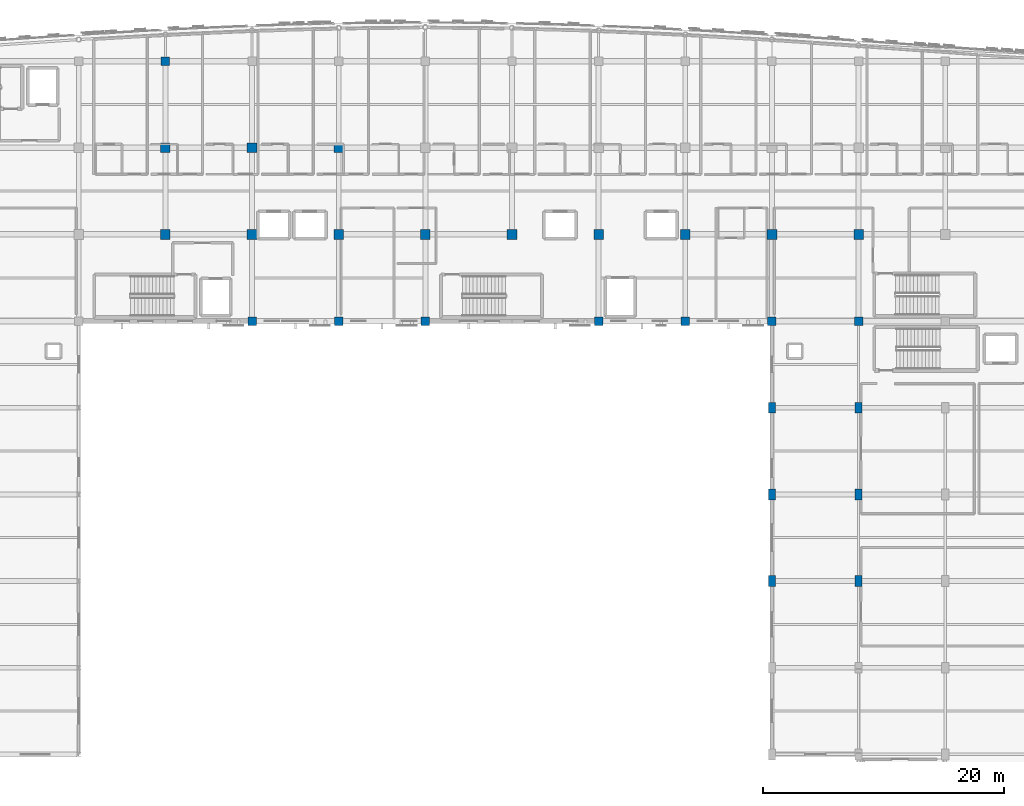
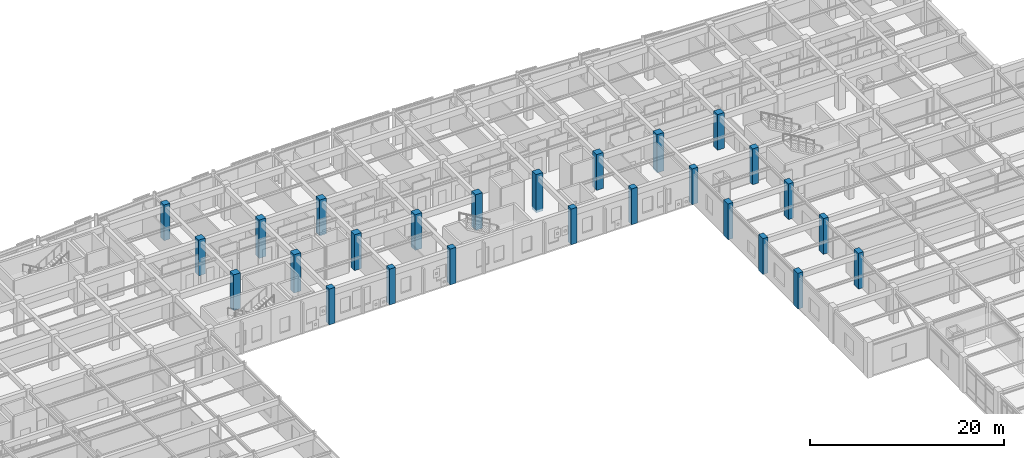
# One storey, part 8 of 106: 26 columns.
"""IFC4 building model written with IfcOpenShell, lengths in metres."""

from ifc_helpers import new_model, si_unit, direction, frame, origin, origin_2d, place, context, subcontext, project, spatial, rectangle, extrude, material, material_profile, profile_set, type_object, element, save


model = new_model("IFC4")

# Units and contexts
model_context = context("Model", 3, precision=1e-05, world=origin(), true_north=direction((0.0, 1.0)))
body_context = subcontext(model_context, "Body", "Model", "MODEL_VIEW")
ifc_project = project(units=[si_unit("LENGTHUNIT", "METRE"), si_unit("AREAUNIT", "SQUARE_METRE"), si_unit("VOLUMEUNIT", "CUBIC_METRE"), si_unit("PLANEANGLEUNIT", "RADIAN"), si_unit("MASSUNIT", "GRAM", prefix="KILO")], contexts=[model_context])

# Site, building, storey
site_placement = place(None, origin())
site = spatial("IfcSite", under=ifc_project, at=site_placement, CompositionType="ELEMENT")
building_placement = place(site_placement, origin())
building = spatial("IfcBuilding", under=site, at=building_placement, Name="Carrowvane Square Congress Hotel", CompositionType="ELEMENT")
storey_placement = place(building_placement, frame((0.0, 0.0, 10.5)))
storey = spatial("IfcBuildingStorey", under=building, at=storey_placement, Name="L02", CompositionType="ELEMENT", Elevation=10.5)

# Columns
ifc_material_1 = material(Name="Concrete C40/50", Category="concrete")
ifc_material_profile_1 = material_profile(ifc_material_1, rectangle(XDim=0.60009765625, YDim=0.89990234375, at=origin_2d()), Name="RC 600x900")
ifc_profile_set_1 = profile_set([ifc_material_profile_1], Name="Concrete C40/50")
column_type_1 = type_object("IfcColumnType", Name="COL-RC-600x900", PredefinedType="COLUMN", material=ifc_profile_set_1)
for number, where, z_axis, x_axis, name in (
    (1, (126.800048828125, 70.199951171875, 0.0), (0.0, 0.0, 1.0), (1.0, 0.0, 0.0), "L02 column 17/K"),
    (2, (126.800048828125, 77.39990234375, 0.0), (0.0, 0.0, 1.0), (1.0, 0.0, 0.0), "L02 column 17/L"),
    (3, (126.800048828125, 84.60009765625, 0.0), (0.0, 0.0, 1.0), (1.0, 0.0, 0.0), "L02 column 17/M"),
    (4, (134.0, 70.199951171875, 0.0), (0.0, 0.0, 1.0), (1.0, 0.0, 0.0), "L02 column 18/K"),
    (5, (134.0, 77.39990234375, 0.0), (0.0, 0.0, 1.0), (1.0, 0.0, 0.0), "L02 column 18/L"),
    (6, (134.0, 84.60009765625, 0.0), (0.0, 0.0, 1.0), (1.0, 0.0, 0.0), "L02 column 18/M"),
):
    element("IfcColumn", number, at=place(storey_placement, frame(where, z_axis=z_axis, x_axis=x_axis)), inside=storey, type_object=column_type_1, Name=name, PredefinedType="COLUMN", context=body_context, shape_type="SweptSolid", body=[
        extrude(rectangle(XDim=0.60009765625, YDim=0.89990234375, at=origin_2d()), origin(), (0.0, 0.0, 1.0), 4.5),
    ])
ifc_material_2 = material(Name="Concrete C40/50", Category="concrete")
ifc_material_profile_2 = material_profile(ifc_material_2, rectangle(XDim=0.699951171875, YDim=0.699951171875, at=origin_2d()), Name="RC 700x700")
ifc_profile_set_2 = profile_set([ifc_material_profile_2], Name="Concrete C40/50")
column_type_2 = type_object("IfcColumnType", Name="COL-RC-700", PredefinedType="COLUMN", material=ifc_profile_set_2)
for number, where, z_axis, x_axis, name in (
    (7, (76.39990234375, 113.39990234375, 0.0), (0.0, 0.0, 1.0), (1.0, 0.0, 0.0), "L02 column 10/R"),
    (8, (83.60009765625, 91.800048828125, 0.0), (0.0, 0.0, 1.0), (1.0, 0.0, 0.0), "L02 column 11/N"),
    (9, (90.800048828125, 91.800048828125, 0.0), (0.0, 0.0, 1.0), (1.0, 0.0, 0.0), "L02 column 12/N"),
    (10, (98.0, 91.800048828125, 0.0), (0.0, 0.0, 1.0), (1.0, 0.0, 0.0), "L02 column 13/N"),
    (11, (112.39990234375, 91.800048828125, 0.0), (0.0, 0.0, 1.0), (1.0, 0.0, 0.0), "L02 column 15/N"),
    (12, (119.60009765625, 91.800048828125, 0.0), (0.0, 0.0, 1.0), (1.0, 0.0, 0.0), "L02 column 16/N"),
    (13, (126.800048828125, 91.800048828125, 0.0), (0.0, 0.0, 1.0), (1.0, 0.0, 0.0), "L02 column 17/N"),
    (14, (134.0, 91.800048828125, 0.0), (0.0, 0.0, 1.0), (1.0, 0.0, 0.0), "L02 column 18/N"),
):
    element("IfcColumn", number, at=place(storey_placement, frame(where, z_axis=z_axis, x_axis=x_axis)), inside=storey, type_object=column_type_2, Name=name, PredefinedType="COLUMN", context=body_context, shape_type="SweptSolid", body=[
        extrude(rectangle(XDim=0.699951171875, YDim=0.699951171875, at=origin_2d()), origin(), (0.0, 0.0, 1.0), 4.5),
    ])
ifc_material_3 = material(Name="Concrete C40/50", Category="concrete")
ifc_material_profile_3 = material_profile(ifc_material_3, rectangle(XDim=0.800048828125, YDim=0.800048828125, at=origin_2d()), Name="RC 800x800")
ifc_profile_set_3 = profile_set([ifc_material_profile_3], Name="Concrete C40/50")
column_type_3 = type_object("IfcColumnType", Name="COL-RC-800", PredefinedType="COLUMN", material=ifc_profile_set_3)
for number, where, z_axis, x_axis, name in (
    (15, (76.39990234375, 99.0, 0.0), (0.0, 0.0, 1.0), (1.0, 0.0, 0.0), "L02 column 10/P"),
    (16, (76.39990234375, 106.199951171875, 0.0), (0.0, 0.0, 1.0), (1.0, 0.0, 0.0), "L02 column 10/Q"),
):
    element("IfcColumn", number, at=place(storey_placement, frame(where, z_axis=z_axis, x_axis=x_axis)), inside=storey, type_object=column_type_3, Name=name, PredefinedType="COLUMN", context=body_context, shape_type="SweptSolid", body=[
        extrude(rectangle(XDim=0.800048828125, YDim=0.800048828125, at=origin_2d()), origin(), (0.0, 0.0, 1.0), 4.5),
    ])
for number, where, z_axis, x_axis, name in (
    (17, (83.60009765625, 99.0, -0.320068359375), (0.0, 0.0, 1.0), (1.0, 0.0, 0.0), "L02 column 11/P"),
    (18, (83.60009765625, 106.199951171875, -0.320068359375), (0.0, 0.0, 1.0), (1.0, 0.0, 0.0), "L02 column 11/Q"),
):
    element("IfcColumn", number, at=place(storey_placement, frame(where, z_axis=z_axis, x_axis=x_axis)), inside=storey, type_object=column_type_3, Name=name, PredefinedType="COLUMN", context=body_context, shape_type="SweptSolid", body=[
        extrude(rectangle(XDim=0.800048828125, YDim=0.800048828125, at=origin_2d()), origin(), (0.0, 0.0, 1.0), 4.820068359375),
    ])
for number, where, z_axis, x_axis, name in (
    (19, (90.800048828125, 99.0, 0.0), (0.0, 0.0, 1.0), (1.0, 0.0, 0.0), "L02 column 12/P"),
    (20, (90.800048828125, 106.199951171875, 0.0), (0.0, 0.0, 1.0), (1.0, 0.0, 0.0), "L02 column 12/Q"),
    (21, (98.0, 99.0, 0.0), (0.0, 0.0, 1.0), (1.0, 0.0, 0.0), "L02 column 13/P"),
    (22, (105.199951171875, 99.0, 0.0), (0.0, 0.0, 1.0), (1.0, 0.0, 0.0), "L02 column 14/P"),
):
    element("IfcColumn", number, at=place(storey_placement, frame(where, z_axis=z_axis, x_axis=x_axis)), inside=storey, type_object=column_type_3, Name=name, PredefinedType="COLUMN", context=body_context, shape_type="SweptSolid", body=[
        extrude(rectangle(XDim=0.800048828125, YDim=0.800048828125, at=origin_2d()), origin(), (0.0, 0.0, 1.0), 4.5),
    ])
column_1_placement = place(storey_placement, frame((112.39990234375, 99.0, -0.320068359375), z_axis=(0.0, 0.0, 1.0), x_axis=(1.0, 0.0, 0.0)))
element("IfcColumn", 23, at=column_1_placement, inside=storey, type_object=column_type_3, Name="L02 column 15/P", PredefinedType="COLUMN", context=body_context, shape_type="SweptSolid", body=[
    extrude(rectangle(XDim=0.800048828125, YDim=0.800048828125, at=origin_2d()), origin(), (0.0, 0.0, 1.0), 4.820068359375),
])
column_2_placement = place(storey_placement, frame((119.60009765625, 99.0, 0.0), z_axis=(0.0, 0.0, 1.0), x_axis=(1.0, 0.0, 0.0)))
element("IfcColumn", 24, at=column_2_placement, inside=storey, type_object=column_type_3, Name="L02 column 16/P", PredefinedType="COLUMN", context=body_context, shape_type="SweptSolid", body=[
    extrude(rectangle(XDim=0.800048828125, YDim=0.800048828125, at=origin_2d()), origin(), (0.0, 0.0, 1.0), 4.5),
])
column_3_placement = place(storey_placement, frame((126.800048828125, 99.0, -0.320068359375), z_axis=(0.0, 0.0, 1.0), x_axis=(1.0, 0.0, 0.0)))
element("IfcColumn", 25, at=column_3_placement, inside=storey, type_object=column_type_3, Name="L02 column 17/P", PredefinedType="COLUMN", context=body_context, shape_type="SweptSolid", body=[
    extrude(rectangle(XDim=0.800048828125, YDim=0.800048828125, at=origin_2d()), origin(), (0.0, 0.0, 1.0), 4.820068359375),
])
column_4_placement = place(storey_placement, frame((134.0, 99.0, 0.0), z_axis=(0.0, 0.0, 1.0), x_axis=(1.0, 0.0, 0.0)))
element("IfcColumn", 26, at=column_4_placement, inside=storey, type_object=column_type_3, Name="L02 column 18/P", PredefinedType="COLUMN", context=body_context, shape_type="SweptSolid", body=[
    extrude(rectangle(XDim=0.800048828125, YDim=0.800048828125, at=origin_2d()), origin(), (0.0, 0.0, 1.0), 4.5),
])

save(model, "model.ifc")
